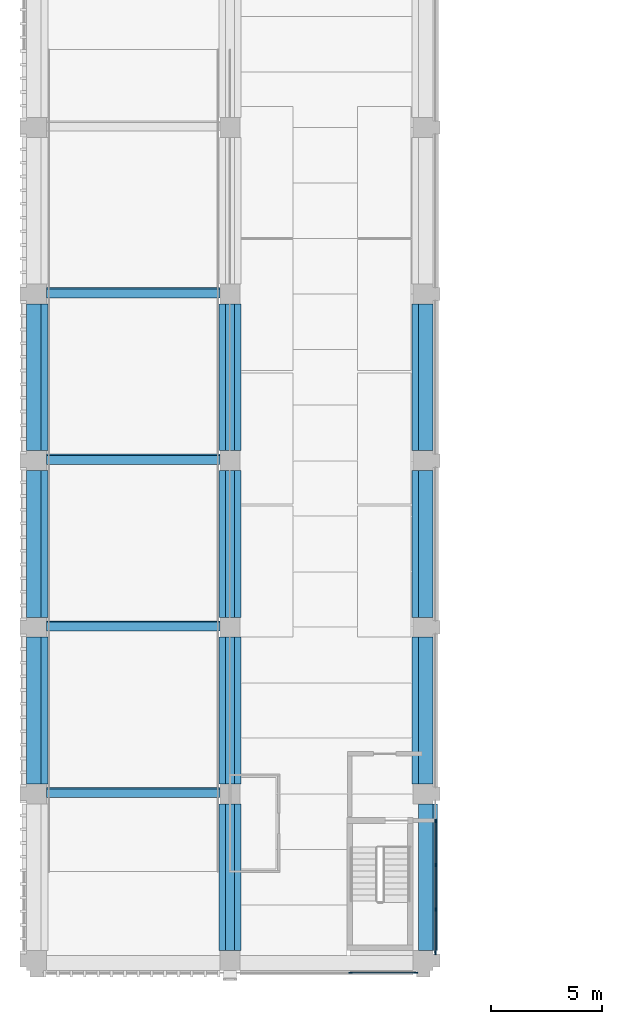
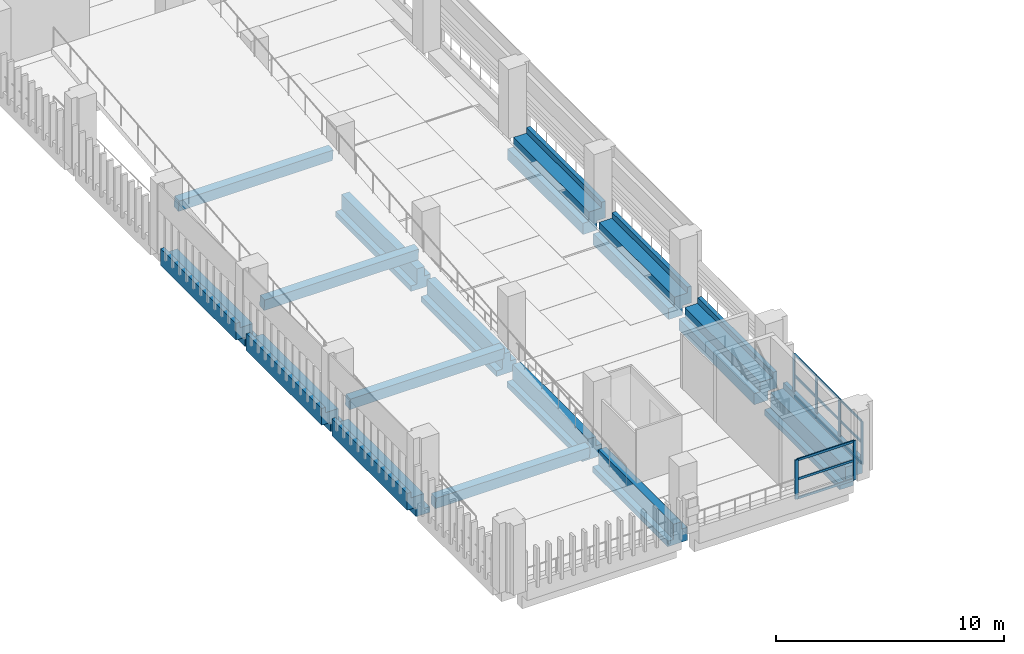
# One storey, part 2 of 57: 18 members, 15 beams, 2 elements without a shape of their own.
"""IFC4 building model written with IfcOpenShell, lengths in metres."""

from ifc_helpers import new_model, si_unit, direction, frame, origin, origin_2d, place, context, subcontext, project, spatial, polyline, rectangle, outline, extrude, material, layer, layer_set, material_profile, profile_set, type_object, element, aggregate, save


model = new_model("IFC4")

# Units and contexts
model_context = context("Model", 3, precision=1e-05, world=origin(), true_north=direction((0.0, 1.0)))
body_context = subcontext(model_context, "Body", "Model", "MODEL_VIEW")
ifc_project = project(units=[si_unit("LENGTHUNIT", "METRE"), si_unit("AREAUNIT", "SQUARE_METRE"), si_unit("VOLUMEUNIT", "CUBIC_METRE"), si_unit("PLANEANGLEUNIT", "RADIAN"), si_unit("MASSUNIT", "GRAM", prefix="KILO")], contexts=[model_context])

# Site, building, storey
site_placement = place(None, origin())
site = spatial("IfcSite", under=ifc_project, at=site_placement, CompositionType="ELEMENT")
building_placement = place(site_placement, origin())
building = spatial("IfcBuilding", under=site, at=building_placement, Name="Cour d'Honneur Mobility Palace", CompositionType="ELEMENT")
storey_placement = place(building_placement, frame((0.0, 0.0, 8.199951171875)))
storey = spatial("IfcBuildingStorey", under=building, at=storey_placement, Name="L02", CompositionType="ELEMENT", Elevation=8.199951171875)

# Curtain wall, members
ifc_material_1 = material(Name="Aluminium and glass", Category="aluminium")
ifc_layer = layer(ifc_material_1, 0.10009765625)
ifc_layer_set = layer_set([ifc_layer], Name="Aluminium and glass")
curtain_wall_type = type_object("IfcCurtainWallType", Name="Curtain wall run", PredefinedType="NOTDEFINED", material=ifc_layer_set)
curtain_wall_1_placement = place(storey_placement, origin())
curtain_wall_1 = element("IfcCurtainWall", 1, at=curtain_wall_1_placement, inside=storey, type_object=curtain_wall_type, Name="Curtain wall CW-155", PredefinedType="NOTDEFINED")
ifc_material_2 = material(Name="Aluminium", Category="aluminium")
ifc_material_profile_1 = material_profile(ifc_material_2, rectangle(XDim=0.06005859375, YDim=0.159912109375, at=origin_2d()), Name="Curtain wall mullion")
ifc_profile_set_1 = profile_set([ifc_material_profile_1], Name="Aluminium")
member_type_1 = type_object("IfcMemberType", Name="Curtain wall mullion", PredefinedType="MULLION", material=ifc_profile_set_1)
member_1_placement = place(storey_placement, frame((14.1298828125, -0.550048828125, 0.0), z_axis=(0.0, 0.0, 1.0), x_axis=(0.0, 1.0, 0.0)))
member_1 = element("IfcMember", 2, at=member_1_placement, type_object=member_type_1, Name="CW-155 mullion 1", PredefinedType="MULLION", context=body_context, shape_type="SweptSolid", body=[
    extrude(rectangle(XDim=0.06005859375, YDim=0.159912109375, at=origin_2d()), origin(), (0.0, 0.0, 1.0), 2.10009765625),
])
member_2_placement = place(storey_placement, frame((17.070068359375, -0.550048828125, 0.0), z_axis=(0.0, 0.0, 1.0), x_axis=(0.0, 1.0, 0.0)))
member_2 = element("IfcMember", 3, at=member_2_placement, type_object=member_type_1, Name="CW-155 mullion 2", PredefinedType="MULLION", context=body_context, shape_type="SweptSolid", body=[
    extrude(rectangle(XDim=0.06005859375, YDim=0.159912109375, at=origin_2d()), origin(), (0.0, 0.0, 1.0), 2.10009765625),
])

curtain_wall_2_placement = place(storey_placement, origin())
curtain_wall_2 = element("IfcCurtainWall", 4, at=curtain_wall_2_placement, inside=storey, type_object=curtain_wall_type, Name="Curtain wall CW-156", PredefinedType="NOTDEFINED")
member_3_placement = place(storey_placement, frame((17.949951171875, 0.330078125, 0.0), z_axis=(0.0, 0.0, 1.0), x_axis=(-1.0, 0.0, 0.0)))
member_3 = element("IfcMember", 5, at=member_3_placement, type_object=member_type_1, Name="CW-156 mullion 1", PredefinedType="MULLION", context=body_context, shape_type="SweptSolid", body=[
    extrude(rectangle(XDim=0.06005859375, YDim=0.159912109375, at=origin_2d()), origin(), (0.0, 0.0, 1.0), 2.300048828125),
])
member_4_placement = place(storey_placement, frame((17.949951171875, 2.300048828125, 0.0), z_axis=(0.0, 0.0, 1.0), x_axis=(-1.0, 0.0, 0.0)))
member_4 = element("IfcMember", 6, at=member_4_placement, type_object=member_type_1, Name="CW-156 mullion 2", PredefinedType="MULLION", context=body_context, shape_type="SweptSolid", body=[
    extrude(rectangle(XDim=0.06005859375, YDim=0.159912109375, at=origin_2d()), origin(), (0.0, 0.0, 1.0), 2.300048828125),
])
member_5_placement = place(storey_placement, frame((17.949951171875, 4.300048828125, 0.0), z_axis=(0.0, 0.0, 1.0), x_axis=(-1.0, 0.0, 0.0)))
member_5 = element("IfcMember", 7, at=member_5_placement, type_object=member_type_1, Name="CW-156 mullion 3", PredefinedType="MULLION", context=body_context, shape_type="SweptSolid", body=[
    extrude(rectangle(XDim=0.06005859375, YDim=0.159912109375, at=origin_2d()), origin(), (0.0, 0.0, 1.0), 2.300048828125),
])
member_6_placement = place(storey_placement, frame((17.949951171875, 6.27001953125, 0.0), z_axis=(0.0, 0.0, 1.0), x_axis=(-1.0, 0.0, 0.0)))
member_6 = element("IfcMember", 8, at=member_6_placement, type_object=member_type_1, Name="CW-156 mullion 4", PredefinedType="MULLION", context=body_context, shape_type="SweptSolid", body=[
    extrude(rectangle(XDim=0.06005859375, YDim=0.159912109375, at=origin_2d()), origin(), (0.0, 0.0, 1.0), 2.300048828125),
])

# Member
ifc_material_3 = material(Name="Aluminium", Category="aluminium")
ifc_material_profile_2 = material_profile(ifc_material_3, rectangle(XDim=0.06005859375, YDim=0.1201171875, at=origin_2d()), Name="Curtain wall transom")
ifc_profile_set_2 = profile_set([ifc_material_profile_2], Name="Aluminium")
member_type_2 = type_object("IfcMemberType", Name="Curtain wall transom", PredefinedType="USERDEFINED", material=ifc_profile_set_2)
member_7_placement = place(storey_placement, frame((14.159912109375, -0.550048828125, 0.030029296875), z_axis=(1.0, 0.0, 0.0), x_axis=(0.0, 1.0, 0.0)))
member_7 = element("IfcMember", 9, at=member_7_placement, type_object=member_type_2, Name="CW-155 transom 1.1", ObjectType="TRANSOM", PredefinedType="USERDEFINED", context=body_context, shape_type="SweptSolid", body=[
    extrude(rectangle(XDim=0.06005859375, YDim=0.1201171875, at=origin_2d()), origin(), (0.0, 0.0, 1.0), 2.880126953125),
])

member_8_placement = place(storey_placement, frame((14.159912109375, -0.550048828125, 1.050048828125), z_axis=(1.0, 0.0, 0.0), x_axis=(0.0, 1.0, 0.0)))
member_8 = element("IfcMember", 10, at=member_8_placement, type_object=member_type_2, Name="CW-155 transom 1.2", ObjectType="TRANSOM", PredefinedType="USERDEFINED", context=body_context, shape_type="SweptSolid", body=[
    extrude(rectangle(XDim=0.06005859375, YDim=0.1201171875, at=origin_2d()), origin(), (0.0, 0.0, 1.0), 2.880126953125),
])

member_9_placement = place(storey_placement, frame((14.159912109375, -0.550048828125, 2.070068359375), z_axis=(1.0, 0.0, 0.0), x_axis=(0.0, 1.0, 0.0)))
member_9 = element("IfcMember", 11, at=member_9_placement, type_object=member_type_2, Name="CW-155 transom 1.3", ObjectType="TRANSOM", PredefinedType="USERDEFINED", context=body_context, shape_type="SweptSolid", body=[
    extrude(rectangle(XDim=0.06005859375, YDim=0.1201171875, at=origin_2d()), origin(), (0.0, 0.0, 1.0), 2.880126953125),
])

aggregate(curtain_wall_1, [member_1, member_2, member_7, member_8, member_9])

member_10_placement = place(storey_placement, frame((17.949951171875, 0.360107421875, 0.030029296875), z_axis=(0.0, 1.0, 0.0), x_axis=(-1.0, 0.0, 0.0)))
member_10 = element("IfcMember", 12, at=member_10_placement, type_object=member_type_2, Name="CW-156 transom 1.1", ObjectType="TRANSOM", PredefinedType="USERDEFINED", context=body_context, shape_type="SweptSolid", body=[
    extrude(rectangle(XDim=0.06005859375, YDim=0.1201171875, at=origin_2d()), origin(), (0.0, 0.0, 1.0), 1.909912109375),
])

member_11_placement = place(storey_placement, frame((17.949951171875, 0.360107421875, 1.150146484375), z_axis=(0.0, 1.0, 0.0), x_axis=(-1.0, 0.0, 0.0)))
member_11 = element("IfcMember", 13, at=member_11_placement, type_object=member_type_2, Name="CW-156 transom 1.2", ObjectType="TRANSOM", PredefinedType="USERDEFINED", context=body_context, shape_type="SweptSolid", body=[
    extrude(rectangle(XDim=0.06005859375, YDim=0.1201171875, at=origin_2d()), origin(), (0.0, 0.0, 1.0), 1.909912109375),
])

member_12_placement = place(storey_placement, frame((17.949951171875, 0.360107421875, 2.27001953125), z_axis=(0.0, 1.0, 0.0), x_axis=(-1.0, 0.0, 0.0)))
member_12 = element("IfcMember", 14, at=member_12_placement, type_object=member_type_2, Name="CW-156 transom 1.3", ObjectType="TRANSOM", PredefinedType="USERDEFINED", context=body_context, shape_type="SweptSolid", body=[
    extrude(rectangle(XDim=0.06005859375, YDim=0.1201171875, at=origin_2d()), origin(), (0.0, 0.0, 1.0), 1.909912109375),
])

member_13_placement = place(storey_placement, frame((17.949951171875, 2.330078125, 0.030029296875), z_axis=(0.0, 1.0, 0.0), x_axis=(-1.0, 0.0, 0.0)))
member_13 = element("IfcMember", 15, at=member_13_placement, type_object=member_type_2, Name="CW-156 transom 2.1", ObjectType="TRANSOM", PredefinedType="USERDEFINED", context=body_context, shape_type="SweptSolid", body=[
    extrude(rectangle(XDim=0.06005859375, YDim=0.1201171875, at=origin_2d()), origin(), (0.0, 0.0, 1.0), 1.93994140625),
])

member_14_placement = place(storey_placement, frame((17.949951171875, 2.330078125, 1.150146484375), z_axis=(0.0, 1.0, 0.0), x_axis=(-1.0, 0.0, 0.0)))
member_14 = element("IfcMember", 16, at=member_14_placement, type_object=member_type_2, Name="CW-156 transom 2.2", ObjectType="TRANSOM", PredefinedType="USERDEFINED", context=body_context, shape_type="SweptSolid", body=[
    extrude(rectangle(XDim=0.06005859375, YDim=0.1201171875, at=origin_2d()), origin(), (0.0, 0.0, 1.0), 1.93994140625),
])

member_15_placement = place(storey_placement, frame((17.949951171875, 2.330078125, 2.27001953125), z_axis=(0.0, 1.0, 0.0), x_axis=(-1.0, 0.0, 0.0)))
member_15 = element("IfcMember", 17, at=member_15_placement, type_object=member_type_2, Name="CW-156 transom 2.3", ObjectType="TRANSOM", PredefinedType="USERDEFINED", context=body_context, shape_type="SweptSolid", body=[
    extrude(rectangle(XDim=0.06005859375, YDim=0.1201171875, at=origin_2d()), origin(), (0.0, 0.0, 1.0), 1.93994140625),
])

member_16_placement = place(storey_placement, frame((17.949951171875, 4.330078125, 0.030029296875), z_axis=(0.0, 1.0, 0.0), x_axis=(-1.0, 0.0, 0.0)))
member_16 = element("IfcMember", 18, at=member_16_placement, type_object=member_type_2, Name="CW-156 transom 3.1", ObjectType="TRANSOM", PredefinedType="USERDEFINED", context=body_context, shape_type="SweptSolid", body=[
    extrude(rectangle(XDim=0.06005859375, YDim=0.1201171875, at=origin_2d()), origin(), (0.0, 0.0, 1.0), 1.909912109375),
])

member_17_placement = place(storey_placement, frame((17.949951171875, 4.330078125, 1.150146484375), z_axis=(0.0, 1.0, 0.0), x_axis=(-1.0, 0.0, 0.0)))
member_17 = element("IfcMember", 19, at=member_17_placement, type_object=member_type_2, Name="CW-156 transom 3.2", ObjectType="TRANSOM", PredefinedType="USERDEFINED", context=body_context, shape_type="SweptSolid", body=[
    extrude(rectangle(XDim=0.06005859375, YDim=0.1201171875, at=origin_2d()), origin(), (0.0, 0.0, 1.0), 1.909912109375),
])

member_18_placement = place(storey_placement, frame((17.949951171875, 4.330078125, 2.27001953125), z_axis=(0.0, 1.0, 0.0), x_axis=(-1.0, 0.0, 0.0)))
member_18 = element("IfcMember", 20, at=member_18_placement, type_object=member_type_2, Name="CW-156 transom 3.3", ObjectType="TRANSOM", PredefinedType="USERDEFINED", context=body_context, shape_type="SweptSolid", body=[
    extrude(rectangle(XDim=0.06005859375, YDim=0.1201171875, at=origin_2d()), origin(), (0.0, 0.0, 1.0), 1.909912109375),
])

aggregate(curtain_wall_2, [member_3, member_4, member_5, member_6, member_10, member_11, member_12, member_13, member_14, member_15, member_16, member_17, member_18])

# Beams
ifc_material_4 = material(Name="Concrete C45", Category="concrete")
ifc_material_profile_3 = material_profile(ifc_material_4, outline(polyline([(0.5, -1.10009765625), (0.5, -0.800048828125), (0.199951171875, -0.800048828125), (0.199951171875, 0.0), (-0.199951171875, 0.0), (-0.199951171875, -0.5), (-0.5, -0.5), (-0.5, -1.10009765625), (0.5, -1.10009765625)])), Name="Inverted Tee Beam 400x1100 ledges 300/600 plain")
ifc_profile_set_3 = profile_set([ifc_material_profile_3], Name="Concrete C45")
beam_type_1 = type_object("IfcBeamType", Name="Inverted Tee Beam 400x1100 ledges 300/600 plain", PredefinedType="T_BEAM", material=ifc_profile_set_3)
for number, where, z_axis, x_axis, name in (
    (21, (8.699951171875, 7.949951171875, 0.0), (0.0, 1.0, 0.0), (-1.0, 0.0, 0.0), "Precast beam B11 B-C L02"),
    (22, (8.699951171875, 15.449951171875, 0.0), (0.0, 1.0, 0.0), (-1.0, 0.0, 0.0), "Precast beam B11 C-D L02"),
    (23, (8.699951171875, 22.949951171875, 0.0), (0.0, 1.0, 0.0), (-1.0, 0.0, 0.0), "Precast beam B11 D-E L02"),
):
    element("IfcBeam", number, at=place(storey_placement, frame(where, z_axis=z_axis, x_axis=x_axis)), inside=storey, type_object=beam_type_1, Name=name, PredefinedType="T_BEAM", context=body_context, shape_type="SweptSolid", body=[
        extrude(outline(polyline([(0.5, -1.10009765625), (0.5, -0.800048828125), (0.199951171875, -0.800048828125), (0.199951171875, 0.0), (-0.199951171875, 0.0), (-0.199951171875, -0.5), (-0.5, -0.5), (-0.5, -1.10009765625), (0.5, -1.10009765625)])), origin(), (0.0, 0.0, 1.0), 6.60009765625),
    ])
ifc_material_5 = material(Name="Concrete C45", Category="concrete")
ifc_material_profile_4 = material_profile(ifc_material_5, outline(polyline([(0.5, -1.10009765625), (0.5, -0.800048828125), (0.199951171875, -0.800048828125), (0.199951171875, 0.0), (-0.199951171875, 0.0), (-0.199951171875, -0.39990234375), (-0.5, -0.39990234375), (-0.5, -1.10009765625), (0.5, -1.10009765625)])), Name="Inverted Tee Beam 400x1100 ledges 300/700 plain")
ifc_profile_set_4 = profile_set([ifc_material_profile_4], Name="Concrete C45")
beam_type_2 = type_object("IfcBeamType", Name="Inverted Tee Beam 400x1100 ledges 300/700 plain", PredefinedType="T_BEAM", material=ifc_profile_set_4)
beam_1_placement = place(storey_placement, frame((8.699951171875, 0.449951171875, 0.0), z_axis=(0.0, 1.0, 0.0), x_axis=(-1.0, 0.0, 0.0)))
element("IfcBeam", 24, at=beam_1_placement, inside=storey, type_object=beam_type_2, Name="Precast beam B10 A-B L02", PredefinedType="T_BEAM", context=body_context, shape_type="SweptSolid", body=[
    extrude(outline(polyline([(0.5, -1.10009765625), (0.5, -0.800048828125), (0.199951171875, -0.800048828125), (0.199951171875, 0.0), (-0.199951171875, 0.0), (-0.199951171875, -0.39990234375), (-0.5, -0.39990234375), (-0.5, -1.10009765625), (0.5, -1.10009765625)])), origin(), (0.0, 0.0, 1.0), 6.60009765625),
])
ifc_material_6 = material(Name="Concrete C45", Category="concrete")
ifc_material_profile_5 = material_profile(ifc_material_6, outline(polyline([(0.5, -1.10009765625), (0.5, -0.800048828125), (0.199951171875, -0.800048828125), (0.199951171875, 0.0), (-0.199951171875, 0.0), (-0.449951171875, 0.0), (-0.449951171875, 0.300048828125), (-0.64990234375, 0.300048828125), (-0.64990234375, -0.60009765625), (-0.199951171875, -0.60009765625), (-0.199951171875, -1.10009765625), (0.5, -1.10009765625)])), Name="Ledger Beam 400x1100 ledge left 300 facade right")
ifc_profile_set_5 = profile_set([ifc_material_profile_5], Name="Concrete C45")
beam_type_3 = type_object("IfcBeamType", Name="Ledger Beam 400x1100 ledge left 300 facade right", PredefinedType="BEAM", material=ifc_profile_set_5)
beam_2_placement = place(storey_placement, frame((17.39990234375, 0.449951171875, 0.0), z_axis=(0.0, 1.0, 0.0), x_axis=(-1.0, 0.0, 0.0)))
element("IfcBeam", 25, at=beam_2_placement, inside=storey, type_object=beam_type_3, Name="Precast beam B3 A-B L02", PredefinedType="BEAM", context=body_context, shape_type="SweptSolid", body=[
    extrude(outline(polyline([(0.5, -1.10009765625), (0.5, -0.800048828125), (0.199951171875, -0.800048828125), (0.199951171875, 0.0), (-0.199951171875, 0.0), (-0.449951171875, 0.0), (-0.449951171875, 0.300048828125), (-0.64990234375, 0.300048828125), (-0.64990234375, -0.60009765625), (-0.199951171875, -0.60009765625), (-0.199951171875, -1.10009765625), (0.5, -1.10009765625)])), origin(), (0.0, 0.0, 1.0), 6.60009765625),
])
ifc_material_7 = material(Name="Concrete C45", Category="concrete")
ifc_material_profile_6 = material_profile(ifc_material_7, outline(polyline([(0.5, -1.10009765625), (0.5, -0.5), (0.199951171875, -0.5), (0.199951171875, 0.0), (-0.199951171875, 0.0), (-0.449951171875, 0.0), (-0.449951171875, 0.300048828125), (-0.64990234375, 0.300048828125), (-0.64990234375, -0.60009765625), (-0.199951171875, -0.60009765625), (-0.199951171875, -1.10009765625), (0.5, -1.10009765625)])), Name="Ledger Beam 400x1100 ledge left 600 facade right")
ifc_profile_set_6 = profile_set([ifc_material_profile_6], Name="Concrete C45")
beam_type_4 = type_object("IfcBeamType", Name="Ledger Beam 400x1100 ledge left 600 facade right", PredefinedType="BEAM", material=ifc_profile_set_6)
for number, where, z_axis, x_axis, name in (
    (26, (17.39990234375, 7.949951171875, 0.0), (0.0, 1.0, 0.0), (-1.0, 0.0, 0.0), "Precast beam B12 B-C L02"),
    (27, (17.39990234375, 15.449951171875, 0.0), (0.0, 1.0, 0.0), (-1.0, 0.0, 0.0), "Precast beam B12 C-D L02"),
    (28, (17.39990234375, 22.949951171875, 0.0), (0.0, 1.0, 0.0), (-1.0, 0.0, 0.0), "Precast beam B12 D-E L02"),
):
    element("IfcBeam", number, at=place(storey_placement, frame(where, z_axis=z_axis, x_axis=x_axis)), inside=storey, type_object=beam_type_4, Name=name, PredefinedType="BEAM", context=body_context, shape_type="SweptSolid", body=[
        extrude(outline(polyline([(0.5, -1.10009765625), (0.5, -0.5), (0.199951171875, -0.5), (0.199951171875, 0.0), (-0.199951171875, 0.0), (-0.449951171875, 0.0), (-0.449951171875, 0.300048828125), (-0.64990234375, 0.300048828125), (-0.64990234375, -0.60009765625), (-0.199951171875, -0.60009765625), (-0.199951171875, -1.10009765625), (0.5, -1.10009765625)])), origin(), (0.0, 0.0, 1.0), 6.60009765625),
    ])
ifc_material_8 = material(Name="Concrete C45", Category="concrete")
ifc_material_profile_7 = material_profile(ifc_material_8, outline(polyline([(0.199951171875, -1.10009765625), (0.199951171875, -0.60009765625), (0.64990234375, -0.60009765625), (0.64990234375, 0.300048828125), (0.449951171875, 0.300048828125), (0.449951171875, 0.0), (0.199951171875, 0.0), (-0.199951171875, 0.0), (-0.199951171875, -0.800048828125), (-0.5, -0.800048828125), (-0.5, -1.10009765625), (0.199951171875, -1.10009765625)])), Name="Ledger Beam 400x1100 ledge right 300 facade left")
ifc_profile_set_7 = profile_set([ifc_material_profile_7], Name="Concrete C45")
beam_type_5 = type_object("IfcBeamType", Name="Ledger Beam 400x1100 ledge right 300 facade left", PredefinedType="BEAM", material=ifc_profile_set_7)
for number, where, z_axis, x_axis, name in (
    (29, (0.0, 7.949951171875, 0.0), (0.0, 1.0, 0.0), (-1.0, 0.0, 0.0), "Precast beam B6 B-C L02"),
    (30, (0.0, 15.449951171875, 0.0), (0.0, 1.0, 0.0), (-1.0, 0.0, 0.0), "Precast beam B6 C-D L02"),
    (31, (0.0, 22.949951171875, 0.0), (0.0, 1.0, 0.0), (-1.0, 0.0, 0.0), "Precast beam B6 D-E L02"),
):
    element("IfcBeam", number, at=place(storey_placement, frame(where, z_axis=z_axis, x_axis=x_axis)), inside=storey, type_object=beam_type_5, Name=name, PredefinedType="BEAM", context=body_context, shape_type="SweptSolid", body=[
        extrude(outline(polyline([(0.199951171875, -1.10009765625), (0.199951171875, -0.60009765625), (0.64990234375, -0.60009765625), (0.64990234375, 0.300048828125), (0.449951171875, 0.300048828125), (0.449951171875, 0.0), (0.199951171875, 0.0), (-0.199951171875, 0.0), (-0.199951171875, -0.800048828125), (-0.5, -0.800048828125), (-0.5, -1.10009765625), (0.199951171875, -1.10009765625)])), origin(), (0.0, 0.0, 1.0), 6.60009765625),
    ])
ifc_material_9 = material(Name="Concrete C40", Category="concrete")
ifc_material_profile_8 = material_profile(ifc_material_9, rectangle(XDim=0.39990234375, YDim=0.60009765625, at=origin_2d()), Name="Ramp cross beam 400x600")
ifc_profile_set_8 = profile_set([ifc_material_profile_8], Name="Concrete C40")
beam_type_6 = type_object("IfcBeamType", Name="Ramp cross beam 400x600", PredefinedType="BEAM", material=ifc_profile_set_8)
for number, where, z_axis, x_axis, name in (
    (32, (0.449951171875, 7.559814453125, -0.2470703125), (1.0, 0.0, 0.0), (0.0, 0.995037190449, 0.099503716633), "Ramp cross beam SW.R2-1"),
    (33, (0.449951171875, 15.059814453125, 0.5029296875), (1.0, 0.0, 0.0), (0.0, 0.995037190449, 0.099503716633), "Ramp cross beam SW.R2-2"),
    (34, (0.449951171875, 22.559814453125, 1.2529296875), (1.0, 0.0, 0.0), (0.0, 0.995037190449, 0.099503716633), "Ramp cross beam SW.R2-3"),
    (35, (0.449951171875, 30.059814453125, 2.0029296875), (1.0, 0.0, 0.0), (0.0, 0.995037190449, 0.099503716633), "Ramp cross beam SW.R2-4"),
):
    element("IfcBeam", number, at=place(storey_placement, frame(where, z_axis=z_axis, x_axis=x_axis)), inside=storey, type_object=beam_type_6, Name=name, PredefinedType="BEAM", context=body_context, shape_type="SweptSolid", body=[
        extrude(rectangle(XDim=0.39990234375, YDim=0.60009765625, at=origin_2d()), origin(), (0.0, 0.0, 1.0), 7.800048828125),
    ])

save(model, "model.ifc")
